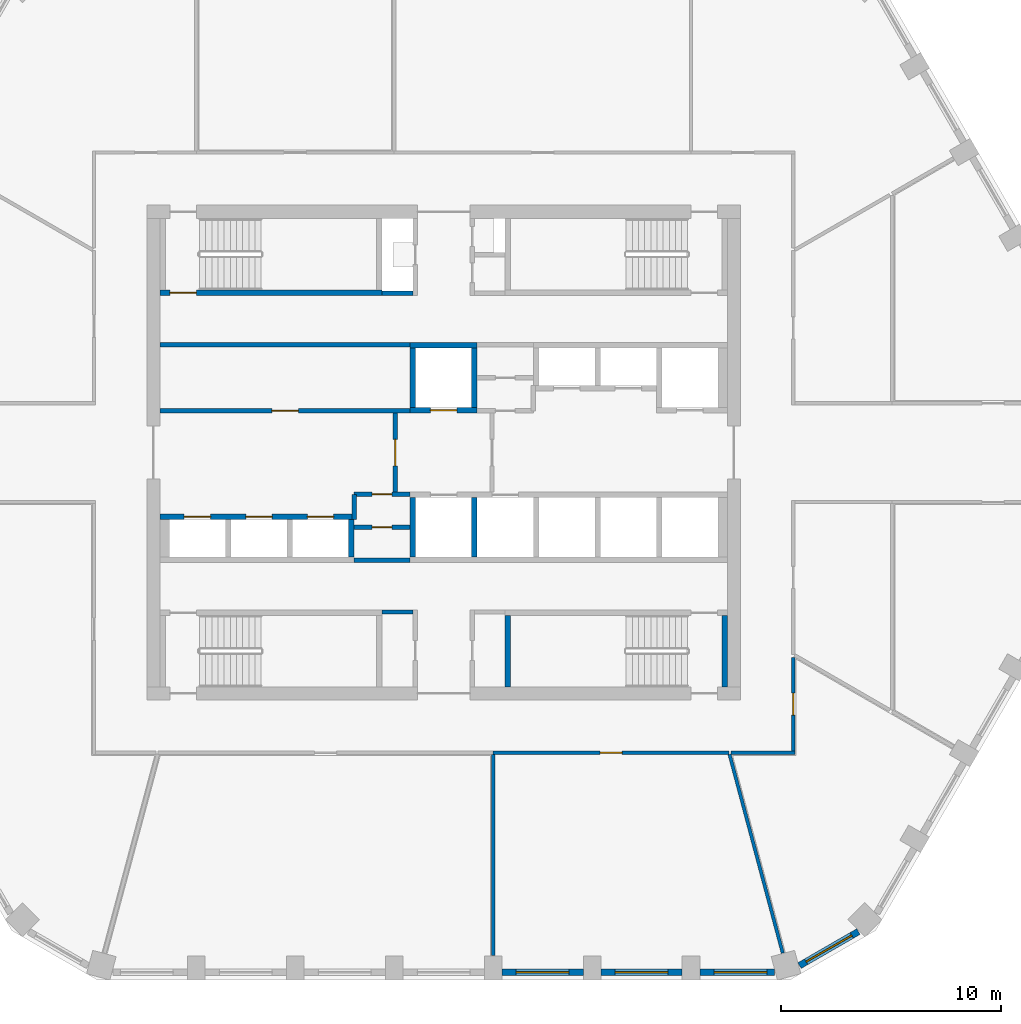
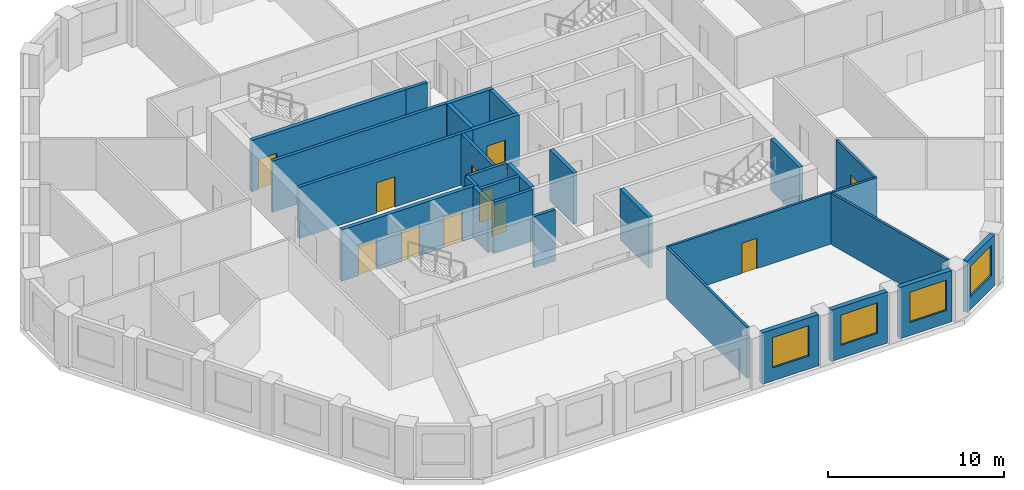
# One storey, part 3 of 11: 29 walls, 11 doors, 4 windows, 15 openings.
"""IFC4 building model written with IfcOpenShell, lengths in metres."""

from ifc_helpers import new_model, si_unit, direction, frame, frame_2d, origin, place, context, subcontext, project, spatial, polyline, rectangle, outline, extrude, material, layer, layer_set, type_object, element, fill, save


model = new_model("IFC4")

# Units and contexts
model_context = context("Model", 3, precision=1e-05, world=origin(), true_north=direction((0.0, 1.0)))
body_context = subcontext(model_context, "Body", "Model", "MODEL_VIEW")
ifc_project = project(units=[si_unit("LENGTHUNIT", "METRE"), si_unit("AREAUNIT", "SQUARE_METRE"), si_unit("VOLUMEUNIT", "CUBIC_METRE"), si_unit("PLANEANGLEUNIT", "RADIAN"), si_unit("MASSUNIT", "GRAM", prefix="KILO")], contexts=[model_context])

# Site, building, storey
site_placement = place(None, origin())
site = spatial("IfcSite", under=ifc_project, at=site_placement, CompositionType="ELEMENT")
building_placement = place(site_placement, origin())
building = spatial("IfcBuilding", under=site, at=building_placement, Name="Dhurran Vertical Campus", CompositionType="ELEMENT")
storey_placement = place(building_placement, frame((0.0, 0.0, 211.199951171875)))
storey = spatial("IfcBuildingStorey", under=building, at=storey_placement, Name="L52", CompositionType="ELEMENT", Elevation=211.199951171875)

# Wall, opening, window
ifc_material_1 = material(Name="Precast concrete C50/60", Category="concrete")
ifc_layer_1 = layer(ifc_material_1, 0.300048828125)
ifc_layer_set_1 = layer_set([ifc_layer_1], Name="Precast concrete C50/60")
wall_type_1 = type_object("IfcWallType", Name="Precast spandrel wall 300", PredefinedType="SOLIDWALL", material=ifc_layer_set_1)
wall_1_placement = place(storey_placement, frame((2.650390625, -23.635498046875, 0.0), z_axis=(0.0, 0.0, 1.0), x_axis=(1.0, 0.0, 0.0)))
wall_1 = element("IfcWall", 1, at=wall_1_placement, inside=storey, type_object=wall_type_1, Name="EW1 L52.04", PredefinedType="SOLIDWALL", context=body_context, shape_type="SweptSolid", body=[
    extrude(rectangle(XDim=3.69921875, YDim=0.300048828125, at=frame_2d((1.849609375, 0.0))), origin(), (0.0, 0.0, 1.0), 3.550048828125),
])
opening_1_placement = place(wall_1_placement, frame((0.6494140625, 0.0, 0.89990234375)))
opening_1 = element("IfcOpeningElement", 2, at=opening_1_placement, cuts=wall_1, Name="Opening WT1", PredefinedType="OPENING", context=body_context, shape_type="SweptSolid", body=[
    extrude(rectangle(XDim=2.39990234375, YDim=2.10009765625, at=frame_2d((1.199951171875, 1.050048828125))), frame((0.0, 0.159912109375, 0.0), z_axis=(0.0, -1.0, 0.0), x_axis=(1.0, 0.0, 0.0)), (0.0, 0.0, 1.0), 0.320068359375),
])
ifc_material_2 = material(Name="Aluminium frame with solar-control glass", Category="aluminium")
window_type = type_object("IfcWindowType", Name="Punched window 2400 x 2100", PartitioningType="SINGLE_PANEL", PredefinedType="WINDOW", material=ifc_material_2)
window_1_placement = place(opening_1_placement, origin())
window_1 = element("IfcWindow", 3, at=window_1_placement, inside=storey, type_object=window_type, Name="WT1 L52.04", OverallHeight=2.10009765625, OverallWidth=2.39990234375, PartitioningType="SINGLE_PANEL", PredefinedType="WINDOW", context=body_context, shape_type="SweptSolid", body=[
    extrude(rectangle(XDim=2.39990234375, YDim=2.10009765625, at=frame_2d((1.199951171875, 1.050048828125))), frame((0.0, 0.030029296875, 0.0), z_axis=(0.0, -1.0, 0.0), x_axis=(1.0, 0.0, 0.0)), (0.0, 0.0, 1.0), 0.06005859375),
])
fill(opening_1, window_1)

wall_2_placement = place(storey_placement, frame((7.150390625, -23.635498046875, 0.0), z_axis=(0.0, 0.0, 1.0), x_axis=(1.0, 0.0, 0.0)))
wall_2 = element("IfcWall", 4, at=wall_2_placement, inside=storey, type_object=wall_type_1, Name="EW1 L52.05", PredefinedType="SOLIDWALL", context=body_context, shape_type="SweptSolid", body=[
    extrude(rectangle(XDim=3.69921875, YDim=0.300048828125, at=frame_2d((1.849609375, 0.0))), origin(), (0.0, 0.0, 1.0), 3.550048828125),
])
opening_2_placement = place(wall_2_placement, frame((0.6494140625, 0.0, 0.89990234375)))
opening_2 = element("IfcOpeningElement", 5, at=opening_2_placement, cuts=wall_2, Name="Opening WT1", PredefinedType="OPENING", context=body_context, shape_type="SweptSolid", body=[
    extrude(rectangle(XDim=2.39990234375, YDim=2.10009765625, at=frame_2d((1.199951171875, 1.050048828125))), frame((0.0, 0.159912109375, 0.0), z_axis=(0.0, -1.0, 0.0), x_axis=(1.0, 0.0, 0.0)), (0.0, 0.0, 1.0), 0.320068359375),
])
window_2_placement = place(opening_2_placement, origin())
window_2 = element("IfcWindow", 6, at=window_2_placement, inside=storey, type_object=window_type, Name="WT1 L52.05", OverallHeight=2.10009765625, OverallWidth=2.39990234375, PartitioningType="SINGLE_PANEL", PredefinedType="WINDOW", context=body_context, shape_type="SweptSolid", body=[
    extrude(rectangle(XDim=2.39990234375, YDim=2.10009765625, at=frame_2d((1.199951171875, 1.050048828125))), frame((0.0, 0.030029296875, 0.0), z_axis=(0.0, -1.0, 0.0), x_axis=(1.0, 0.0, 0.0)), (0.0, 0.0, 1.0), 0.06005859375),
])
fill(opening_2, window_2)

wall_3_placement = place(storey_placement, frame((11.650390625, -23.635498046875, 0.0), z_axis=(0.0, 0.0, 1.0), x_axis=(1.0, 0.0, 0.0)))
wall_3 = element("IfcWall", 7, at=wall_3_placement, inside=storey, type_object=wall_type_1, Name="EW1 L52.06", PredefinedType="SOLIDWALL", context=body_context, shape_type="SweptSolid", body=[
    extrude(rectangle(XDim=3.39599609375, YDim=0.300048828125, at=frame_2d((1.697998046875, 0.0))), origin(), (0.0, 0.0, 1.0), 3.550048828125),
])
opening_3_placement = place(wall_3_placement, frame((0.6494140625, 0.0, 0.89990234375)))
opening_3 = element("IfcOpeningElement", 8, at=opening_3_placement, cuts=wall_3, Name="Opening WT1", PredefinedType="OPENING", context=body_context, shape_type="SweptSolid", body=[
    extrude(rectangle(XDim=2.39990234375, YDim=2.10009765625, at=frame_2d((1.199951171875, 1.050048828125))), frame((0.0, 0.159912109375, 0.0), z_axis=(0.0, -1.0, 0.0), x_axis=(1.0, 0.0, 0.0)), (0.0, 0.0, 1.0), 0.320068359375),
])
window_3_placement = place(opening_3_placement, origin())
window_3 = element("IfcWindow", 9, at=window_3_placement, inside=storey, type_object=window_type, Name="WT1 L52.06", OverallHeight=2.10009765625, OverallWidth=2.39990234375, PartitioningType="SINGLE_PANEL", PredefinedType="WINDOW", context=body_context, shape_type="SweptSolid", body=[
    extrude(rectangle(XDim=2.39990234375, YDim=2.10009765625, at=frame_2d((1.199951171875, 1.050048828125))), frame((0.0, 0.030029296875, 0.0), z_axis=(0.0, -1.0, 0.0), x_axis=(1.0, 0.0, 0.0)), (0.0, 0.0, 1.0), 0.06005859375),
])
fill(opening_3, window_3)

wall_4_placement = place(storey_placement, frame((16.184326171875, -23.330810546875, 0.0), z_axis=(0.0, 0.0, 1.0), x_axis=(0.865994975416, 0.500052699777, 0.0)))
wall_4 = element("IfcWall", 10, at=wall_4_placement, inside=storey, type_object=wall_type_1, Name="EW1 L52.07", PredefinedType="SOLIDWALL", context=body_context, shape_type="SweptSolid", body=[
    extrude(rectangle(XDim=3.093017578125, YDim=0.300048828125, at=frame_2d((1.54638671875, 0.0))), origin(), (0.0, 0.0, 1.0), 3.550048828125),
])
opening_4_placement = place(wall_4_placement, frame((0.346435546875, 0.0, 0.89990234375)))
opening_4 = element("IfcOpeningElement", 11, at=opening_4_placement, cuts=wall_4, Name="Opening WT1", PredefinedType="OPENING", context=body_context, shape_type="SweptSolid", body=[
    extrude(rectangle(XDim=2.39990234375, YDim=2.10009765625, at=frame_2d((1.199951171875, 1.050048828125))), frame((0.0, 0.159912109375, 0.0), z_axis=(0.0, -1.0, 0.0), x_axis=(1.0, 0.0, 0.0)), (0.0, 0.0, 1.0), 0.320068359375),
])
window_4_placement = place(opening_4_placement, origin())
window_4 = element("IfcWindow", 12, at=window_4_placement, inside=storey, type_object=window_type, Name="WT1 L52.07", OverallHeight=2.10009765625, OverallWidth=2.39990234375, PartitioningType="SINGLE_PANEL", PredefinedType="WINDOW", context=body_context, shape_type="SweptSolid", body=[
    extrude(rectangle(XDim=2.39990234375, YDim=2.10009765625, at=frame_2d((1.199951171875, 1.050048828125))), frame((0.0, 0.030029296875, 0.0), z_axis=(0.0, -1.0, 0.0), x_axis=(1.0, 0.0, 0.0)), (0.0, 0.0, 1.0), 0.06005859375),
])
fill(opening_4, window_4)

# Wall, opening, door
ifc_material_3 = material(Name="Fire-rated masonry blockwork", Category="masonry")
ifc_layer_2 = layer(ifc_material_3, 0.199951171875)
ifc_layer_set_2 = layer_set([ifc_layer_2], Name="Fire-rated masonry blockwork")
wall_type_2 = type_object("IfcWallType", Name="co-FIRE-PARTITION-200", PredefinedType="PARTITIONING", material=ifc_layer_set_2)
wall_5_placement = place(storey_placement, frame((-2.199951171875, -1.800048828125, 0.0), z_axis=(0.0, 0.0, 1.0), x_axis=(0.0, 1.0, 0.0)))
wall_5 = element("IfcWall", 13, at=wall_5_placement, inside=storey, type_object=wall_type_2, Name="Firefighting lobby wall W L52", PredefinedType="PARTITIONING", context=body_context, shape_type="SweptSolid", body=[
    extrude(rectangle(XDim=3.60009765625, YDim=0.199951171875, at=frame_2d((1.800048828125, 0.0))), origin(), (0.0, 0.0, 1.0), 3.550048828125),
])
opening_5_placement = place(wall_5_placement, frame((1.199951171875, 0.0, 0.0)))
opening_5 = element("IfcOpeningElement", 14, at=opening_5_placement, cuts=wall_5, Name="Opening FL1", PredefinedType="OPENING", context=body_context, shape_type="SweptSolid", body=[
    extrude(rectangle(XDim=1.199951171875, YDim=2.10009765625, at=frame_2d((0.60009765625, 1.050048828125))), frame((0.0, 0.10986328125, 0.0), z_axis=(0.0, -1.0, 0.0), x_axis=(1.0, 0.0, 0.0)), (0.0, 0.0, 1.0), 0.219970703125),
])
ifc_material_4 = material(Name="Fire-rated steel door set", Category="steel")
door_type_1 = type_object("IfcDoorType", Name="co-D-FFLOBBY 1200x2100", OperationType="SINGLE_SWING_LEFT", PredefinedType="DOOR", material=ifc_material_4)
door_1_placement = place(opening_5_placement, origin())
door_1 = element("IfcDoor", 15, at=door_1_placement, inside=storey, type_object=door_type_1, Name="Firefighting lobby door W L52", OperationType="SINGLE_SWING_LEFT", OverallHeight=2.10009765625, OverallWidth=1.199951171875, PredefinedType="DOOR", context=body_context, shape_type="SweptSolid", body=[
    extrude(rectangle(XDim=1.199951171875, YDim=2.10009765625, at=frame_2d((0.60009765625, 1.050048828125))), frame((0.0, 0.02490234375, 0.0), z_axis=(0.0, -1.0, 0.0), x_axis=(1.0, 0.0, 0.0)), (0.0, 0.0, 1.0), 0.050048828125),
])
fill(opening_5, door_1)

# Walls
for number, where, z_axis, x_axis, name in (
    (16, (-2.800048828125, 7.25, 0.0), (0.0, 0.0, 1.0), (1.0, 0.0, 0.0), "Core partition sl-NW-S L52"),
    (17, (-2.800048828125, -7.25, 0.0), (0.0, 0.0, 1.0), (1.0, 0.0, 0.0), "Core partition sl-SW-S L52"),
):
    element("IfcWall", number, at=place(storey_placement, frame(where, z_axis=z_axis, x_axis=x_axis)), inside=storey, type_object=wall_type_2, Name=name, PredefinedType="PARTITIONING", context=body_context, shape_type="SweptSolid", body=[
        extrude(rectangle(XDim=1.400146484375, YDim=0.199951171875, at=frame_2d((0.7001953125, 0.0))), origin(), (0.0, 0.0, 1.0), 3.550048828125),
    ])

# Wall, opening, door
wall_6_placement = place(storey_placement, frame((-12.89990234375, 1.89990234375, 0.0), z_axis=(0.0, 0.0, 1.0), x_axis=(1.0, 0.0, 0.0)))
wall_6 = element("IfcWall", 18, at=wall_6_placement, inside=storey, type_object=wall_type_2, Name="Core partition fr-N0-f L52", PredefinedType="PARTITIONING", context=body_context, shape_type="SweptSolid", body=[
    extrude(rectangle(XDim=11.375, YDim=0.199951171875, at=frame_2d((5.6875, 0.0))), origin(), (0.0, 0.0, 1.0), 3.550048828125),
])
opening_6_placement = place(wall_6_placement, frame((5.08740234375, 0.0, 0.0)))
opening_6 = element("IfcOpeningElement", 19, at=opening_6_placement, cuts=wall_6, Name="Opening T15-C6", PredefinedType="OPENING", context=body_context, shape_type="SweptSolid", body=[
    extrude(rectangle(XDim=1.199951171875, YDim=2.10009765625, at=frame_2d((0.60009765625, 1.050048828125))), frame((0.0, 0.10986328125, 0.0), z_axis=(0.0, -1.0, 0.0), x_axis=(1.0, 0.0, 0.0)), (0.0, 0.0, 1.0), 0.219970703125),
])
ifc_material_5 = material(Name="Fire-rated steel door set", Category="steel")
door_type_2 = type_object("IfcDoorType", Name="co-D-ROOM-PASSAGE 1200x2100", OperationType="SINGLE_SWING_RIGHT", PredefinedType="DOOR", material=ifc_material_5)
door_2_placement = place(opening_6_placement, origin())
door_2 = element("IfcDoor", 20, at=door_2_placement, inside=storey, type_object=door_type_2, Name="Print room door L52", OperationType="SINGLE_SWING_RIGHT", OverallHeight=2.10009765625, OverallWidth=1.199951171875, PredefinedType="DOOR", context=body_context, shape_type="SweptSolid", body=[
    extrude(rectangle(XDim=1.199951171875, YDim=2.10009765625, at=frame_2d((0.60009765625, 1.050048828125))), frame((0.0, 0.02490234375, 0.0), z_axis=(0.0, -1.0, 0.0), x_axis=(1.0, 0.0, 0.0)), (0.0, 0.0, 1.0), 0.050048828125),
])
fill(opening_6, door_2)

# Wall
wall_7_placement = place(storey_placement, frame((-12.89990234375, 4.89990234375, 0.0), z_axis=(0.0, 0.0, 1.0), x_axis=(1.0, 0.0, 0.0)))
element("IfcWall", 21, at=wall_7_placement, inside=storey, type_object=wall_type_2, Name="Core partition fr-N0-b L52", PredefinedType="PARTITIONING", context=body_context, shape_type="SweptSolid", body=[
    extrude(rectangle(XDim=11.375, YDim=0.199951171875, at=frame_2d((5.6875, 0.0))), origin(), (0.0, 0.0, 1.0), 3.550048828125),
])

# Wall, opening, door
wall_8_placement = place(storey_placement, frame((-4.074951171875, -3.39990234375, 0.0), z_axis=(0.0, 0.0, 1.0), x_axis=(1.0, 0.0, 0.0)))
wall_8 = element("IfcWall", 22, at=wall_8_placement, inside=storey, type_object=wall_type_2, Name="Core partition fr-S0-c L52", PredefinedType="PARTITIONING", context=body_context, shape_type="SweptSolid", body=[
    extrude(rectangle(XDim=2.550048828125, YDim=0.199951171875, at=frame_2d((1.27490234375, 0.0))), origin(), (0.0, 0.0, 1.0), 3.550048828125),
])
opening_7_placement = place(wall_8_placement, frame((0.824951171875, 0.0, 0.0)))
opening_7 = element("IfcOpeningElement", 23, at=opening_7_placement, cuts=wall_8, Name="Opening T15-C9", PredefinedType="OPENING", context=body_context, shape_type="SweptSolid", body=[
    extrude(rectangle(XDim=0.89990234375, YDim=2.10009765625, at=frame_2d((0.449951171875, 1.050048828125))), frame((0.0, 0.10986328125, 0.0), z_axis=(0.0, -1.0, 0.0), x_axis=(1.0, 0.0, 0.0)), (0.0, 0.0, 1.0), 0.219970703125),
])
ifc_material_6 = material(Name="Fire-rated timber door set", Category="wood")
door_type_3 = type_object("IfcDoorType", Name="co-D-ROOM 900x2100", OperationType="SINGLE_SWING_LEFT", PredefinedType="DOOR", material=ifc_material_6)
door_3_placement = place(opening_7_placement, origin())
door_3 = element("IfcDoor", 24, at=door_3_placement, inside=storey, type_object=door_type_3, Name="Housekeeping store door L52", OperationType="SINGLE_SWING_LEFT", OverallHeight=2.10009765625, OverallWidth=0.89990234375, PredefinedType="DOOR", context=body_context, shape_type="SweptSolid", body=[
    extrude(rectangle(XDim=0.89990234375, YDim=2.10009765625, at=frame_2d((0.449951171875, 1.050048828125))), frame((0.0, 0.02490234375, 0.0), z_axis=(0.0, -1.0, 0.0), x_axis=(1.0, 0.0, 0.0)), (0.0, 0.0, 1.0), 0.050048828125),
])
fill(opening_7, door_3)

wall_9_placement = place(storey_placement, frame((-4.074951171875, -1.89990234375, 0.0), z_axis=(0.0, 0.0, 1.0), x_axis=(1.0, 0.0, 0.0)))
wall_9 = element("IfcWall", 25, at=wall_9_placement, inside=storey, type_object=wall_type_2, Name="Core partition fr-S0-f L52", PredefinedType="PARTITIONING", context=body_context, shape_type="SweptSolid", body=[
    extrude(rectangle(XDim=2.550048828125, YDim=0.199951171875, at=frame_2d((1.27490234375, 0.0))), origin(), (0.0, 0.0, 1.0), 3.550048828125),
])
opening_8_placement = place(wall_9_placement, frame((0.824951171875, 0.0, 0.0)))
opening_8 = element("IfcOpeningElement", 26, at=opening_8_placement, cuts=wall_9, Name="Opening T15-C10", PredefinedType="OPENING", context=body_context, shape_type="SweptSolid", body=[
    extrude(rectangle(XDim=0.89990234375, YDim=2.10009765625, at=frame_2d((0.449951171875, 1.050048828125))), frame((0.0, 0.10986328125, 0.0), z_axis=(0.0, -1.0, 0.0), x_axis=(1.0, 0.0, 0.0)), (0.0, 0.0, 1.0), 0.219970703125),
])
door_4_placement = place(opening_8_placement, origin())
door_4 = element("IfcDoor", 27, at=door_4_placement, inside=storey, type_object=door_type_3, Name="Plant room door L52", OperationType="SINGLE_SWING_LEFT", OverallHeight=2.10009765625, OverallWidth=0.89990234375, PredefinedType="DOOR", context=body_context, shape_type="SweptSolid", body=[
    extrude(rectangle(XDim=0.89990234375, YDim=2.10009765625, at=frame_2d((0.449951171875, 1.050048828125))), frame((0.0, 0.02490234375, 0.0), z_axis=(0.0, -1.0, 0.0), x_axis=(1.0, 0.0, 0.0)), (0.0, 0.0, 1.0), 0.050048828125),
])
fill(opening_8, door_4)

# Walls
wall_10_placement = place(storey_placement, frame((-4.074951171875, -4.89990234375, 0.0), z_axis=(0.0, 0.0, 1.0), x_axis=(1.0, 0.0, 0.0)))
element("IfcWall", 28, at=wall_10_placement, inside=storey, type_object=wall_type_2, Name="Core partition fr-S0-b L52", PredefinedType="PARTITIONING", context=body_context, shape_type="SweptSolid", body=[
    extrude(rectangle(XDim=2.550048828125, YDim=0.199951171875, at=frame_2d((1.27490234375, 0.0))), origin(), (0.0, 0.0, 1.0), 3.550048828125),
])
wall_11_placement = place(storey_placement, frame((-4.074951171875, -1.89990234375, 0.0), z_axis=(0.0, 0.0, 1.0), x_axis=(0.0, -1.0, 0.0)))
element("IfcWall", 29, at=wall_11_placement, inside=storey, type_object=wall_type_2, Name="Core partition fr-S0-n0 L52", PredefinedType="PARTITIONING", context=body_context, shape_type="SweptSolid", body=[
    extrude(rectangle(XDim=1.150146484375, YDim=0.199951171875, at=frame_2d((0.5751953125, 0.0))), origin(), (0.0, 0.0, 1.0), 3.550048828125),
])

# Wall, opening, door
ifc_material_7 = material(Name="Concrete C50/60", Category="concrete")
ifc_layer_3 = layer(ifc_material_7, 0.25)
ifc_layer_set_3 = layer_set([ifc_layer_3], Name="Concrete C50/60")
wall_type_3 = type_object("IfcWallType", Name="co-SHAFT-FRONT-250", PredefinedType="SHEAR", material=ifc_layer_set_3)
wall_12_placement = place(storey_placement, frame((-1.52490234375, 1.925048828125, 0.0), z_axis=(0.0, 0.0, 1.0), x_axis=(1.0, 0.0, 0.0)))
wall_12 = element("IfcWall", 30, at=wall_12_placement, inside=storey, type_object=wall_type_3, Name="Lift landing wall N L52", PredefinedType="SHEAR", context=body_context, shape_type="SweptSolid", body=[
    extrude(rectangle(XDim=3.0498046875, YDim=0.25, at=frame_2d((1.52490234375, 0.0))), origin(), (0.0, 0.0, 1.0), 3.550048828125),
])
opening_9_placement = place(wall_12_placement, frame((0.925048828125, 0.0, 0.0)))
opening_9 = element("IfcOpeningElement", 31, at=opening_9_placement, cuts=wall_12, Name="Opening LD", PredefinedType="OPENING", context=body_context, shape_type="SweptSolid", body=[
    extrude(rectangle(XDim=1.199951171875, YDim=2.10009765625, at=frame_2d((0.60009765625, 1.050048828125))), frame((0.0, 0.135009765625, 0.0), z_axis=(0.0, -1.0, 0.0), x_axis=(1.0, 0.0, 0.0)), (0.0, 0.0, 1.0), 0.27001953125),
])
ifc_material_8 = material(Name="Stainless steel landing door", Category="steel")
door_type_4 = type_object("IfcDoorType", Name="co-D-LANDING 1200x2100", OperationType="DOUBLE_DOOR_SLIDING", PredefinedType="DOOR", material=ifc_material_8)
door_5_placement = place(opening_9_placement, origin())
door_5 = element("IfcDoor", 32, at=door_5_placement, inside=storey, type_object=door_type_4, Name="Landing door FF1 L52", OperationType="DOUBLE_DOOR_SLIDING", OverallHeight=2.10009765625, OverallWidth=1.199951171875, PredefinedType="DOOR", context=body_context, shape_type="SweptSolid", body=[
    extrude(rectangle(XDim=1.199951171875, YDim=2.10009765625, at=frame_2d((0.60009765625, 1.050048828125))), frame((0.0, 0.02490234375, 0.0), z_axis=(0.0, -1.0, 0.0), x_axis=(1.0, 0.0, 0.0)), (0.0, 0.0, 1.0), 0.050048828125),
])
fill(opening_9, door_5)

# Wall, openings, doors
wall_13_placement = place(storey_placement, frame((-12.89990234375, -2.925048828125, 0.0), z_axis=(0.0, 0.0, 1.0), x_axis=(1.0, 0.0, 0.0)))
wall_13 = element("IfcWall", 33, at=wall_13_placement, inside=storey, type_object=wall_type_3, Name="Lift landing wall S L52", PredefinedType="SHEAR", context=body_context, shape_type="SweptSolid", body=[
    extrude(rectangle(XDim=8.824951171875, YDim=0.25, at=frame_2d((4.41259765625, 0.0))), origin(), (0.0, 0.0, 1.0), 3.550048828125),
])
opening_10_placement = place(wall_13_placement, frame((1.10009765625, 0.0, 0.0)))
opening_10 = element("IfcOpeningElement", 34, at=opening_10_placement, cuts=wall_13, Name="Opening LD", PredefinedType="OPENING", context=body_context, shape_type="SweptSolid", body=[
    extrude(rectangle(XDim=1.199951171875, YDim=2.10009765625, at=frame_2d((0.60009765625, 1.050048828125))), frame((0.0, 0.135009765625, 0.0), z_axis=(0.0, -1.0, 0.0), x_axis=(1.0, 0.0, 0.0)), (0.0, 0.0, 1.0), 0.27001953125),
])
opening_11_placement = place(wall_13_placement, frame((3.89990234375, 0.0, 0.0)))
opening_11 = element("IfcOpeningElement", 35, at=opening_11_placement, cuts=wall_13, Name="Opening LD", PredefinedType="OPENING", context=body_context, shape_type="SweptSolid", body=[
    extrude(rectangle(XDim=1.199951171875, YDim=2.10009765625, at=frame_2d((0.60009765625, 1.050048828125))), frame((0.0, 0.135009765625, 0.0), z_axis=(0.0, -1.0, 0.0), x_axis=(1.0, 0.0, 0.0)), (0.0, 0.0, 1.0), 0.27001953125),
])
opening_12_placement = place(wall_13_placement, frame((6.699951171875, 0.0, 0.0)))
opening_12 = element("IfcOpeningElement", 36, at=opening_12_placement, cuts=wall_13, Name="Opening LD", PredefinedType="OPENING", context=body_context, shape_type="SweptSolid", body=[
    extrude(rectangle(XDim=1.199951171875, YDim=2.10009765625, at=frame_2d((0.60009765625, 1.050048828125))), frame((0.0, 0.135009765625, 0.0), z_axis=(0.0, -1.0, 0.0), x_axis=(1.0, 0.0, 0.0)), (0.0, 0.0, 1.0), 0.27001953125),
])
door_6_placement = place(opening_10_placement, origin())
door_6 = element("IfcDoor", 37, at=door_6_placement, inside=storey, type_object=door_type_4, Name="Landing door MR3 L52", OperationType="DOUBLE_DOOR_SLIDING", OverallHeight=2.10009765625, OverallWidth=1.199951171875, PredefinedType="DOOR", context=body_context, shape_type="SweptSolid", body=[
    extrude(rectangle(XDim=1.199951171875, YDim=2.10009765625, at=frame_2d((0.60009765625, 1.050048828125))), frame((0.0, 0.02490234375, 0.0), z_axis=(0.0, -1.0, 0.0), x_axis=(1.0, 0.0, 0.0)), (0.0, 0.0, 1.0), 0.050048828125),
])
fill(opening_10, door_6)
door_7_placement = place(opening_11_placement, origin())
door_7 = element("IfcDoor", 38, at=door_7_placement, inside=storey, type_object=door_type_4, Name="Landing door MR4 L52", OperationType="DOUBLE_DOOR_SLIDING", OverallHeight=2.10009765625, OverallWidth=1.199951171875, PredefinedType="DOOR", context=body_context, shape_type="SweptSolid", body=[
    extrude(rectangle(XDim=1.199951171875, YDim=2.10009765625, at=frame_2d((0.60009765625, 1.050048828125))), frame((0.0, 0.02490234375, 0.0), z_axis=(0.0, -1.0, 0.0), x_axis=(1.0, 0.0, 0.0)), (0.0, 0.0, 1.0), 0.050048828125),
])
fill(opening_11, door_7)
door_8_placement = place(opening_12_placement, origin())
door_8 = element("IfcDoor", 39, at=door_8_placement, inside=storey, type_object=door_type_4, Name="Landing door MR5 L52", OperationType="DOUBLE_DOOR_SLIDING", OverallHeight=2.10009765625, OverallWidth=1.199951171875, PredefinedType="DOOR", context=body_context, shape_type="SweptSolid", body=[
    extrude(rectangle(XDim=1.199951171875, YDim=2.10009765625, at=frame_2d((0.60009765625, 1.050048828125))), frame((0.0, 0.02490234375, 0.0), z_axis=(0.0, -1.0, 0.0), x_axis=(1.0, 0.0, 0.0)), (0.0, 0.0, 1.0), 0.050048828125),
])
fill(opening_12, door_8)

# Walls
ifc_material_9 = material(Name="Concrete C50/60", Category="concrete")
ifc_layer_4 = layer(ifc_material_9, 0.25)
ifc_layer_set_4 = layer_set([ifc_layer_4], Name="Concrete C50/60")
wall_type_4 = type_object("IfcWallType", Name="co-SHAFT-MASS-250", PredefinedType="SHEAR", material=ifc_layer_set_4)
wall_14_placement = place(storey_placement, origin())
element("IfcWall", 40, at=wall_14_placement, inside=storey, type_object=wall_type_4, Name="Lift shaft wall N L52 1", PredefinedType="SHEAR", context=body_context, shape_type="SweptSolid", body=[
    extrude(outline(polyline([(-1.52490234375, 4.75), (1.52490234375, 4.75), (1.52490234375, 5.0), (-1.52490234375, 5.0), (-1.52490234375, 4.75)])), origin(), (0.0, 0.0, 1.0), 3.550048828125),
])
wall_15_placement = place(storey_placement, origin())
element("IfcWall", 41, at=wall_15_placement, inside=storey, type_object=wall_type_4, Name="Lift shaft wall N L52 3", PredefinedType="SHEAR", context=body_context, shape_type="SweptSolid", body=[
    extrude(outline(polyline([(-1.52490234375, 2.050048828125), (-1.27490234375, 2.050048828125), (-1.27490234375, 4.75), (-1.52490234375, 4.75), (-1.52490234375, 2.050048828125)])), origin(), (0.0, 0.0, 1.0), 3.550048828125),
])
wall_16_placement = place(storey_placement, origin())
element("IfcWall", 42, at=wall_16_placement, inside=storey, type_object=wall_type_4, Name="Lift shaft wall N L52 4", PredefinedType="SHEAR", context=body_context, shape_type="SweptSolid", body=[
    extrude(outline(polyline([(1.27490234375, 2.050048828125), (1.52490234375, 2.050048828125), (1.52490234375, 4.75), (1.27490234375, 4.75), (1.27490234375, 2.050048828125)])), origin(), (0.0, 0.0, 1.0), 3.550048828125),
])
wall_17_placement = place(storey_placement, origin())
element("IfcWall", 43, at=wall_17_placement, inside=storey, type_object=wall_type_4, Name="Lift shaft wall S L52 6", PredefinedType="SHEAR", context=body_context, shape_type="SweptSolid", body=[
    extrude(outline(polyline([(-4.324951171875, -4.75), (-4.074951171875, -4.75), (-4.074951171875, -3.050048828125), (-4.324951171875, -3.050048828125), (-4.324951171875, -4.75)])), origin(), (0.0, 0.0, 1.0), 3.550048828125),
])
wall_18_placement = place(storey_placement, origin())
element("IfcWall", 44, at=wall_18_placement, inside=storey, type_object=wall_type_4, Name="Lift shaft wall S L52 7", PredefinedType="SHEAR", context=body_context, shape_type="SweptSolid", body=[
    extrude(outline(polyline([(-1.52490234375, -4.75), (-1.27490234375, -4.75), (-1.27490234375, -2.050048828125), (-1.52490234375, -2.050048828125), (-1.52490234375, -4.75)])), origin(), (0.0, 0.0, 1.0), 3.550048828125),
])
wall_19_placement = place(storey_placement, origin())
element("IfcWall", 45, at=wall_19_placement, inside=storey, type_object=wall_type_4, Name="Lift shaft wall S L52 8", PredefinedType="SHEAR", context=body_context, shape_type="SweptSolid", body=[
    extrude(outline(polyline([(1.27490234375, -4.75), (1.52490234375, -4.75), (1.52490234375, -2.050048828125), (1.27490234375, -2.050048828125), (1.27490234375, -4.75)])), origin(), (0.0, 0.0, 1.0), 3.550048828125),
])

# Wall, opening, door
ifc_material_10 = material(Name="Concrete C40/50", Category="concrete")
ifc_layer_5 = layer(ifc_material_10, 0.25)
ifc_layer_set_5 = layer_set([ifc_layer_5], Name="Concrete C40/50")
wall_type_5 = type_object("IfcWallType", Name="co-STAIR-WALL-250", PredefinedType="SHEAR", material=ifc_layer_set_5)
wall_20_placement = place(storey_placement, frame((-12.89990234375, 7.27490234375, 0.0), z_axis=(0.0, 0.0, 1.0), x_axis=(1.0, 0.0, 0.0)))
wall_20 = element("IfcWall", 46, at=wall_20_placement, inside=storey, type_object=wall_type_5, Name="Stair ST1 enclosure wall L52", PredefinedType="SHEAR", context=body_context, shape_type="SweptSolid", body=[
    extrude(rectangle(XDim=10.099853515625, YDim=0.25, at=frame_2d((5.0498046875, 0.0))), origin(), (0.0, 0.0, 1.0), 3.550048828125),
])
opening_13_placement = place(wall_20_placement, frame((0.449951171875, 0.0, 0.0)))
opening_13 = element("IfcOpeningElement", 47, at=opening_13_placement, cuts=wall_20, Name="Opening SD1", PredefinedType="OPENING", context=body_context, shape_type="SweptSolid", body=[
    extrude(rectangle(XDim=1.199951171875, YDim=2.10009765625, at=frame_2d((0.60009765625, 1.050048828125))), frame((0.0, 0.135009765625, 0.0), z_axis=(0.0, -1.0, 0.0), x_axis=(1.0, 0.0, 0.0)), (0.0, 0.0, 1.0), 0.27001953125),
])
ifc_material_11 = material(Name="Fire-rated steel door set", Category="steel")
door_type_5 = type_object("IfcDoorType", Name="co-D-STAIR 1200x2100", OperationType="SINGLE_SWING_LEFT", PredefinedType="DOOR", material=ifc_material_11)
door_9_placement = place(opening_13_placement, origin())
door_9 = element("IfcDoor", 48, at=door_9_placement, inside=storey, type_object=door_type_5, Name="Stair ST1 door L52", OperationType="SINGLE_SWING_LEFT", OverallHeight=2.10009765625, OverallWidth=1.199951171875, PredefinedType="DOOR", context=body_context, shape_type="SweptSolid", body=[
    extrude(rectangle(XDim=1.199951171875, YDim=2.10009765625, at=frame_2d((0.60009765625, 1.050048828125))), frame((0.0, 0.02490234375, 0.0), z_axis=(0.0, -1.0, 0.0), x_axis=(1.0, 0.0, 0.0)), (0.0, 0.0, 1.0), 0.050048828125),
])
fill(opening_13, door_9)

# Walls
for number, where, z_axis, x_axis, name in (
    (49, (2.925048828125, -10.64990234375, 0.0), (0.0, 0.0, 1.0), (0.0, 1.0, 0.0), "Stair ST4 enclosure wall L52"),
    (50, (12.77490234375, -10.64990234375, 0.0), (0.0, 0.0, 1.0), (0.0, 1.0, 0.0), "Stair ST4 enclosure wall L52"),
):
    element("IfcWall", number, at=place(storey_placement, frame(where, z_axis=z_axis, x_axis=x_axis)), inside=storey, type_object=wall_type_5, Name=name, PredefinedType="SHEAR", context=body_context, shape_type="SweptSolid", body=[
        extrude(rectangle(XDim=3.25, YDim=0.25, at=frame_2d((1.625, 0.0))), origin(), (0.0, 0.0, 1.0), 3.550048828125),
    ])

# Wall, opening, door
ifc_material_12 = material(Name="Gypsum board corridor wall on steel studs", Category="steel")
ifc_layer_6 = layer(ifc_material_12, 0.14990234375)
ifc_layer_set_6 = layer_set([ifc_layer_6], Name="Gypsum board corridor wall on steel studs")
wall_type_6 = type_object("IfcWallType", Name="fl-CW-150 corridor wall", PredefinedType="PARTITIONING", material=ifc_layer_set_6)
wall_21_placement = place(storey_placement, frame((2.25, -13.64990234375, 0.0), z_axis=(0.0, 0.0, 1.0), x_axis=(1.0, 0.0, 0.0)))
wall_21 = element("IfcWall", 51, at=wall_21_placement, inside=storey, type_object=wall_type_6, Name="Partition 52-28", PredefinedType="PARTITIONING", context=body_context, shape_type="SweptSolid", body=[
    extrude(rectangle(XDim=10.73095703125, YDim=0.14990234375, at=frame_2d((5.365478515625, 0.0))), origin(), (0.0, 0.0, 1.0), 3.550048828125),
])
opening_14_placement = place(wall_21_placement, frame((4.865478515625, 0.0, 0.0)))
opening_14 = element("IfcOpeningElement", 52, at=opening_14_placement, cuts=wall_21, Name="Opening T15.11", PredefinedType="OPENING", context=body_context, shape_type="SweptSolid", body=[
    extrude(rectangle(XDim=1.0, YDim=2.10009765625, at=frame_2d((0.5, 1.050048828125))), frame((0.0, 0.0849609375, 0.0), z_axis=(0.0, -1.0, 0.0), x_axis=(1.0, 0.0, 0.0)), (0.0, 0.0, 1.0), 0.169921875),
])
ifc_material_13 = material(Name="Solid-core timber door set, fire-rated", Category="wood")
door_type_6 = type_object("IfcDoorType", Name="fl-D-1000x2100", OperationType="SINGLE_SWING_LEFT", PredefinedType="DOOR", material=ifc_material_13)
door_10_placement = place(opening_14_placement, origin())
door_10 = element("IfcDoor", 53, at=door_10_placement, inside=storey, type_object=door_type_6, Name="Door 52.11", OperationType="SINGLE_SWING_RIGHT", OverallHeight=2.10009765625, OverallWidth=1.0, PredefinedType="DOOR", context=body_context, shape_type="SweptSolid", body=[
    extrude(rectangle(XDim=1.0, YDim=2.10009765625, at=frame_2d((0.5, 1.050048828125))), frame((0.0, 0.02490234375, 0.0), z_axis=(0.0, -1.0, 0.0), x_axis=(1.0, 0.0, 0.0)), (0.0, 0.0, 1.0), 0.050048828125),
])
fill(opening_14, door_10)

# Wall
wall_22_placement = place(storey_placement, frame((13.075927734375, -13.64990234375, 0.0), z_axis=(0.0, 0.0, 1.0), x_axis=(1.0, 0.0, 0.0)))
element("IfcWall", 54, at=wall_22_placement, inside=storey, type_object=wall_type_6, Name="Partition 52-32", PredefinedType="PARTITIONING", context=body_context, shape_type="SweptSolid", body=[
    extrude(rectangle(XDim=2.899169921875, YDim=0.14990234375, at=frame_2d((1.44970703125, 0.0))), origin(), (0.0, 0.0, 1.0), 3.550048828125),
])

# Wall, opening, door
wall_23_placement = place(storey_placement, frame((15.89990234375, -13.574951171875, 0.0), z_axis=(0.0, 0.0, 1.0), x_axis=(0.0, 1.0, 0.0)))
wall_23 = element("IfcWall", 55, at=wall_23_placement, inside=storey, type_object=wall_type_6, Name="Partition 52-33", PredefinedType="PARTITIONING", context=body_context, shape_type="SweptSolid", body=[
    extrude(rectangle(XDim=4.264892578125, YDim=0.14990234375, at=frame_2d((2.13232421875, 0.0))), origin(), (0.0, 0.0, 1.0), 3.550048828125),
])
opening_15_placement = place(wall_23_placement, frame((1.632568359375, 0.0, 0.0)))
opening_15 = element("IfcOpeningElement", 56, at=opening_15_placement, cuts=wall_23, Name="Opening T15.13", PredefinedType="OPENING", context=body_context, shape_type="SweptSolid", body=[
    extrude(rectangle(XDim=1.0, YDim=2.10009765625, at=frame_2d((0.5, 1.050048828125))), frame((0.0, 0.0849609375, 0.0), z_axis=(0.0, -1.0, 0.0), x_axis=(1.0, 0.0, 0.0)), (0.0, 0.0, 1.0), 0.169921875),
])
door_11_placement = place(opening_15_placement, origin())
door_11 = element("IfcDoor", 57, at=door_11_placement, inside=storey, type_object=door_type_6, Name="Door 52.13", OperationType="SINGLE_SWING_RIGHT", OverallHeight=2.10009765625, OverallWidth=1.0, PredefinedType="DOOR", context=body_context, shape_type="SweptSolid", body=[
    extrude(rectangle(XDim=1.0, YDim=2.10009765625, at=frame_2d((0.5, 1.050048828125))), frame((0.0, 0.02490234375, 0.0), z_axis=(0.0, -1.0, 0.0), x_axis=(1.0, 0.0, 0.0)), (0.0, 0.0, 1.0), 0.050048828125),
])
fill(opening_15, door_11)

# Walls
ifc_material_14 = material(Name="Gypsum board partition on steel studs", Category="steel")
ifc_layer_7 = layer(ifc_material_14, 0.14990234375)
ifc_layer_set_7 = layer_set([ifc_layer_7], Name="Gypsum board partition on steel studs")
wall_type_7 = type_object("IfcWallType", Name="fl-PW-150 fixed partition", PredefinedType="PARTITIONING", material=ifc_layer_set_7)
wall_24_placement = place(storey_placement, frame((2.25, -13.72509765625, 0.0), z_axis=(0.0, 0.0, 1.0), x_axis=(0.0, -1.0, 0.0)))
element("IfcWall", 58, at=wall_24_placement, inside=storey, type_object=wall_type_7, Name="Partition 52-27", PredefinedType="PARTITIONING", context=body_context, shape_type="SweptSolid", body=[
    extrude(rectangle(XDim=9.140380859375, YDim=0.14990234375, at=frame_2d((4.5703125, 0.0))), origin(), (0.0, 0.0, 1.0), 3.550048828125),
])
wall_25_placement = place(storey_placement, frame((13.00048828125, -13.722412109375, 0.0), z_axis=(0.0, 0.0, 1.0), x_axis=(0.258812157425, -0.96592767181, 0.0)))
element("IfcWall", 59, at=wall_25_placement, inside=storey, type_object=wall_type_7, Name="Partition 52-31", PredefinedType="PARTITIONING", context=body_context, shape_type="SweptSolid", body=[
    extrude(rectangle(XDim=9.357666015625, YDim=0.14990234375, at=frame_2d((4.6787109375, 0.0))), origin(), (0.0, 0.0, 1.0), 3.550048828125),
])

save(model, "model.ifc")
